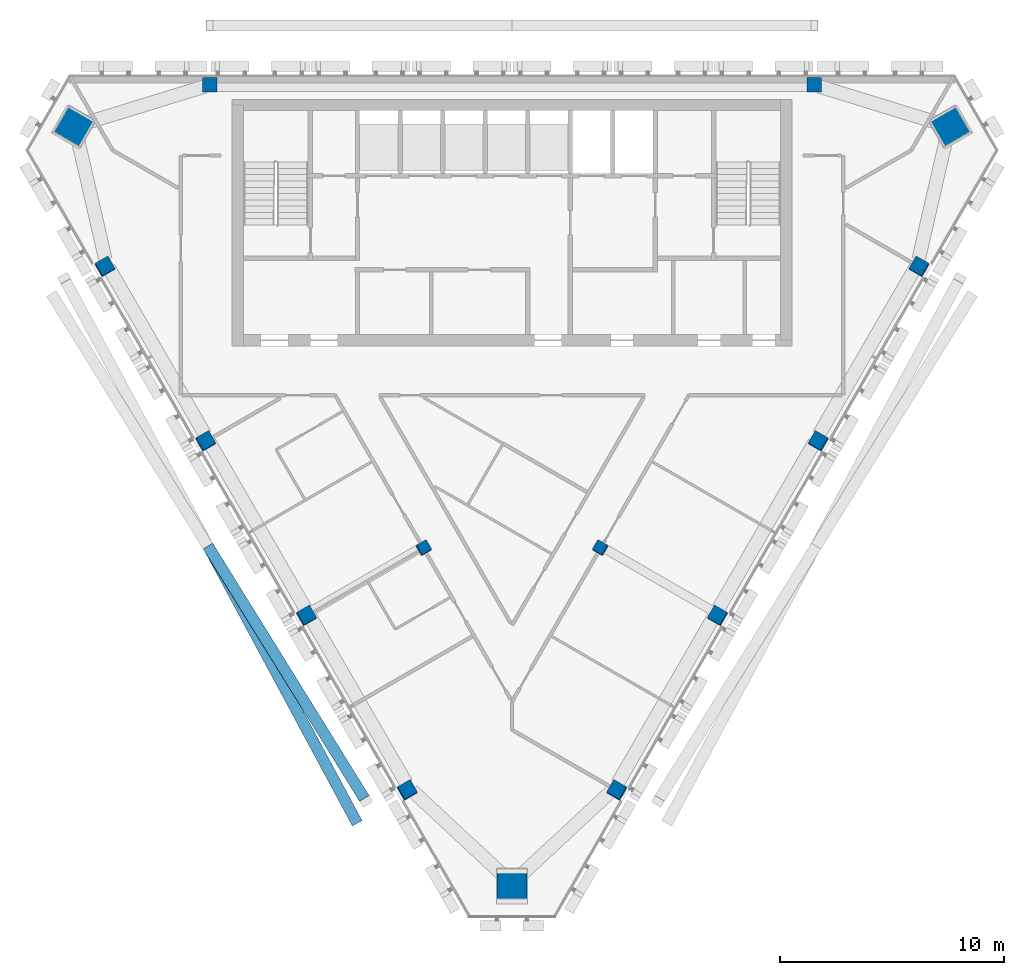
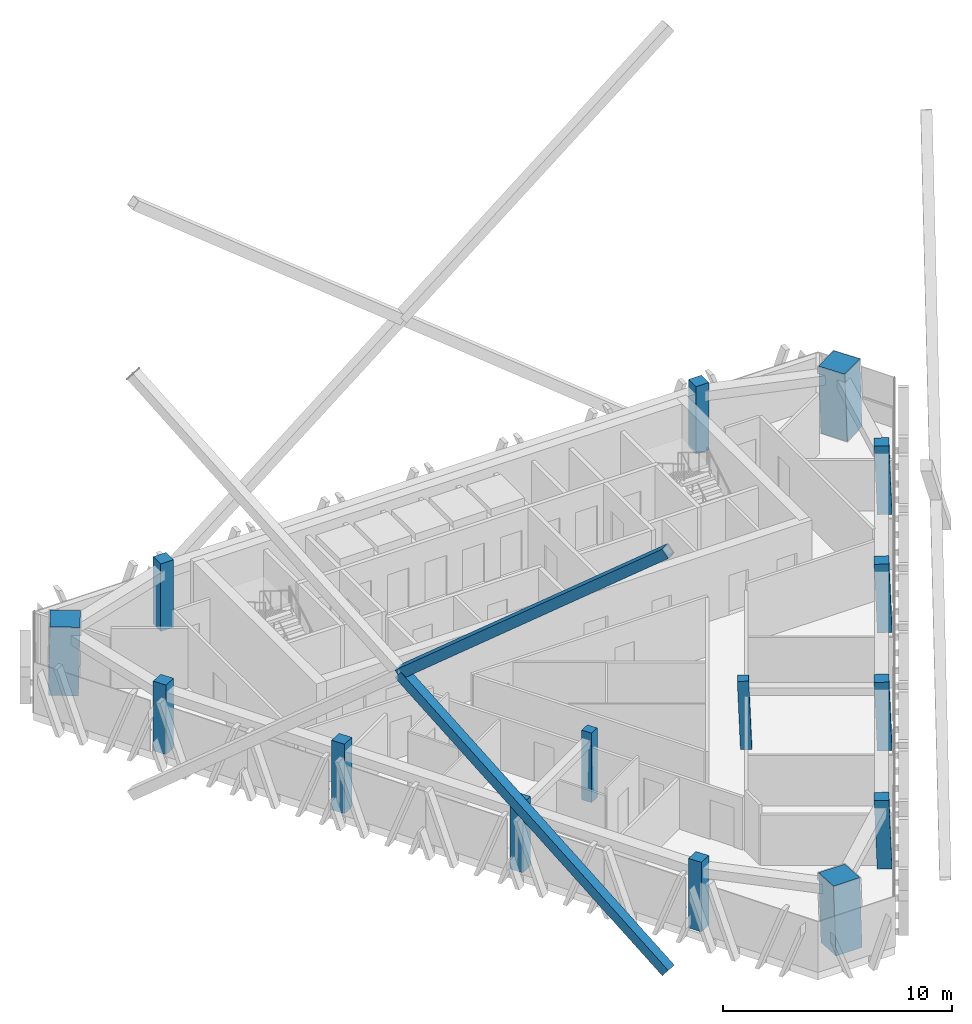
# One storey, part 1 of 12: 15 columns, 2 members.
"""IFC4 building model written with IfcOpenShell, lengths in metres."""

from ifc_helpers import new_model, si_unit, direction, frame, origin, origin_2d, place, context, subcontext, project, spatial, rectangle, hollow_rectangle, extrude, material, material_profile, profile_set, type_object, element, save


model = new_model("IFC4")

# Units and contexts
model_context = context("Model", 3, precision=1e-05, world=origin(), true_north=direction((0.0, 1.0)))
body_context = subcontext(model_context, "Body", "Model", "MODEL_VIEW")
ifc_project = project(units=[si_unit("LENGTHUNIT", "METRE"), si_unit("AREAUNIT", "SQUARE_METRE"), si_unit("VOLUMEUNIT", "CUBIC_METRE"), si_unit("PLANEANGLEUNIT", "RADIAN"), si_unit("MASSUNIT", "GRAM", prefix="KILO")], contexts=[model_context])

# Site, building, storey
site_placement = place(None, origin())
site = spatial("IfcSite", under=ifc_project, at=site_placement, CompositionType="ELEMENT")
building_placement = place(site_placement, origin())
building = spatial("IfcBuilding", under=site, at=building_placement, Name="Altiplano Prism Tower", CompositionType="ELEMENT")
storey_placement = place(building_placement, frame((0.0, 0.0, 313.0)))
storey = spatial("IfcBuildingStorey", under=building, at=storey_placement, Name="L81", CompositionType="ELEMENT", Elevation=313.0)

# Columns
ifc_material_1 = material(Name="Concrete C60/75", Category="concrete")
ifc_material_profile_1 = material_profile(ifc_material_1, rectangle(XDim=0.5, YDim=0.5, at=origin_2d()), Name="Inner column 500")
ifc_profile_set_1 = profile_set([ifc_material_profile_1], Name="Concrete C60/75")
column_type_1 = type_object("IfcColumnType", Name="Inner column 500", PredefinedType="COLUMN", material=ifc_profile_set_1)
for number, where, z_axis, x_axis, name in (
    (1, (81.047119140625, 83.859130859375, -0.01513671875), (0.02215369191, 0.038413282303, 0.999016333038), (-0.86536468805, -0.499669077686, 0.038402727522), "Inner column I13 L81"),
    (2, (88.952880859375, 83.859130859375, -0.01513671875), (-0.02215369191, 0.038413282303, 0.999016333038), (-0.500652759639, -0.865364210869, 0.022171982582), "Inner column I22 L81"),
):
    element("IfcColumn", number, at=place(storey_placement, frame(where, z_axis=z_axis, x_axis=x_axis)), inside=storey, type_object=column_type_1, Name=name, PredefinedType="COLUMN", context=body_context, shape_type="SweptSolid", body=[
        extrude(rectangle(XDim=0.5, YDim=0.5, at=origin_2d()), origin(), (0.0, 0.0, 1.0), 3.603759765625),
    ])
ifc_material_2 = material(Name="Concrete C70/85", Category="concrete")
ifc_material_profile_2 = material_profile(ifc_material_2, rectangle(XDim=1.320068359375, YDim=1.320068359375, at=origin_2d()), Name="Mega column infill 1400")
ifc_profile_set_2 = profile_set([ifc_material_profile_2], Name="Concrete C70/85")
column_type_2 = type_object("IfcColumnType", Name="Mega column infill 1400", PredefinedType="COLUMN", material=ifc_profile_set_2)
column_1_placement = place(storey_placement, frame((65.3759765625, 102.667724609375, 0.0), z_axis=(0.028401814599, 0.009218727412, 0.999554076572), x_axis=(-0.865123016218, 0.501162418609, 0.019959884366)))
element("IfcColumn", 3, at=column_1_placement, inside=storey, type_object=column_type_2, Name="Mega column M0 L81", PredefinedType="COLUMN", context=body_context, shape_type="SweptSolid", body=[
    extrude(rectangle(XDim=1.320068359375, YDim=1.320068359375, at=origin_2d()), origin(), (0.0, 0.0, 1.0), 3.601806640625),
])
column_2_placement = place(storey_placement, frame((85.0, 68.677978515625, 0.0), z_axis=(0.0, 0.058356907999, 0.998295783467), x_axis=(-1.0, 0.0, 0.0)))
element("IfcColumn", 4, at=column_2_placement, inside=storey, type_object=column_type_2, Name="Mega column M1 L81", PredefinedType="COLUMN", context=body_context, shape_type="SweptSolid", body=[
    extrude(rectangle(XDim=1.320068359375, YDim=1.320068359375, at=origin_2d()), origin(), (0.0, 0.0, 1.0), 3.606201171875),
])
column_3_placement = place(storey_placement, frame((104.6240234375, 102.667724609375, 0.0), z_axis=(-0.028401814599, 0.009218727412, 0.999554076572), x_axis=(0.500754933813, -0.865304134532, 0.022209255362)))
element("IfcColumn", 5, at=column_3_placement, inside=storey, type_object=column_type_2, Name="Mega column M2 L81", PredefinedType="COLUMN", context=body_context, shape_type="SweptSolid", body=[
    extrude(rectangle(XDim=1.320068359375, YDim=1.320068359375, at=origin_2d()), origin(), (0.0, 0.0, 1.0), 3.601806640625),
])
ifc_material_profile_3 = material_profile(ifc_material_1, rectangle(XDim=0.64990234375, YDim=0.64990234375, at=origin_2d()), Name="Perimeter column 650")
ifc_profile_set_3 = profile_set([ifc_material_profile_3], Name="Concrete C60/75")
column_type_3 = type_object("IfcColumnType", Name="Perimeter column 650", PredefinedType="COLUMN", material=ifc_profile_set_3)
for number, where, z_axis, x_axis, name in (
    (6, (98.5, 104.550048828125, 0.0), (0.0, 0.0, 1.0), (1.0, 0.0, 0.0), "Perimeter column P01 L81"),
    (7, (71.5, 104.550048828125, 0.0), (0.0, 0.0, 1.0), (1.0, 0.0, 0.0), "Perimeter column P04 L81"),
):
    element("IfcColumn", number, at=place(storey_placement, frame(where, z_axis=z_axis, x_axis=x_axis)), inside=storey, type_object=column_type_3, Name=name, PredefinedType="COLUMN", context=body_context, shape_type="SweptSolid", body=[
        extrude(rectangle(XDim=0.64990234375, YDim=0.64990234375, at=origin_2d()), origin(), (0.0, 0.0, 1.0), 3.60009765625),
    ])
for number, where, z_axis, x_axis, name in (
    (8, (66.807373046875, 96.42236328125, -0.021240234375), (0.022212386598, 0.038397631711, 0.99901563139), (-0.866024421048, -0.498523701777, 0.038416414656), "Perimeter column P11 L81"),
    (9, (71.307373046875, 88.6279296875, -0.021240234375), (0.022212328788, 0.038465252292, 0.999013031354), (-0.865642454901, -0.499182755274, 0.038467091256), "Perimeter column P12 L81"),
    (10, (75.807373046875, 80.833740234375, -0.021240234375), (0.022212328788, 0.038465252292, 0.999013031354), (-0.865642454901, -0.499182755274, 0.038467091256), "Perimeter column P13 L81"),
    (11, (80.307373046875, 73.03955078125, -0.021240234375), (0.022212328788, 0.038465252292, 0.999013031354), (-0.865642437442, -0.499182785491, 0.038467092031), "Perimeter column P14 L81"),
    (12, (89.692626953125, 73.03955078125, -0.021240234375), (-0.022212328788, 0.038465252292, 0.999013031354), (-0.500169754133, -0.865642519194, 0.022209142594), "Perimeter column P21 L81"),
    (13, (94.192626953125, 80.833740234375, -0.021240234375), (-0.022212328788, 0.038465252292, 0.999013031354), (-0.500169754133, -0.865642519194, 0.022209142594), "Perimeter column P22 L81"),
    (14, (98.692626953125, 88.6279296875, -0.021240234375), (-0.022212328788, 0.038465252292, 0.999013031354), (-0.500169723916, -0.865642536618, 0.022209143937), "Perimeter column P23 L81"),
    (15, (103.192626953125, 96.42236328125, -0.021240234375), (-0.022212386598, 0.038397631711, 0.99901563139), (-0.499508070035, -0.866025254046, 0.02217988558), "Perimeter column P24 L81"),
):
    element("IfcColumn", number, at=place(storey_placement, frame(where, z_axis=z_axis, x_axis=x_axis)), inside=storey, type_object=column_type_3, Name=name, PredefinedType="COLUMN", context=body_context, shape_type="SweptSolid", body=[
        extrude(rectangle(XDim=0.64990234375, YDim=0.64990234375, at=origin_2d()), origin(), (0.0, 0.0, 1.0), 3.605224609375),
    ])

# Members
ifc_material_3 = material(Name="Steel S355", Category="steel")
ifc_material_profile_4 = material_profile(ifc_material_3, hollow_rectangle(XDim=0.5, YDim=0.5, WallThickness=0.02490234375, at=origin_2d()), Name="Mega brace Box 500x500x25")
ifc_profile_set_4 = profile_set([ifc_material_profile_4], Name="Steel S355")
member_type = type_object("IfcMemberType", Name="Mega brace Box 500x500x25", PredefinedType="BRACE", material=ifc_profile_set_4)
member_1_placement = place(storey_placement, frame((71.5029296875, 83.822265625, 10.10009765625), z_axis=(0.407855730164, -0.657927544289, 0.633075864204), x_axis=(0.849937025119, 0.526884288371, 0.0)))
element("IfcMember", 16, at=member_1_placement, inside=storey, type_object=member_type, Name="Mega brace 9.1.2", PredefinedType="BRACE", context=body_context, shape_type="SweptSolid", body=[
    extrude(hollow_rectangle(XDim=0.5, YDim=0.5, WallThickness=0.02490234375, at=origin_2d()), origin(), (0.0, 0.0, 1.0), 17.11328125),
])
member_2_placement = place(storey_placement, frame((78.012939453125, 71.71533203125, -0.75), z_axis=(-0.371738044447, 0.69133656944, 0.619568054427), x_axis=(-0.880747542721, -0.47358607031, 0.0)))
element("IfcMember", 17, at=member_2_placement, inside=storey, type_object=member_type, Name="Mega brace 9.1.3", PredefinedType="BRACE", context=body_context, shape_type="SweptSolid", body=[
    extrude(hollow_rectangle(XDim=0.5, YDim=0.5, WallThickness=0.02490234375, at=origin_2d()), origin(), (0.0, 0.0, 1.0), 17.512451171875),
])

save(model, "model.ifc")
